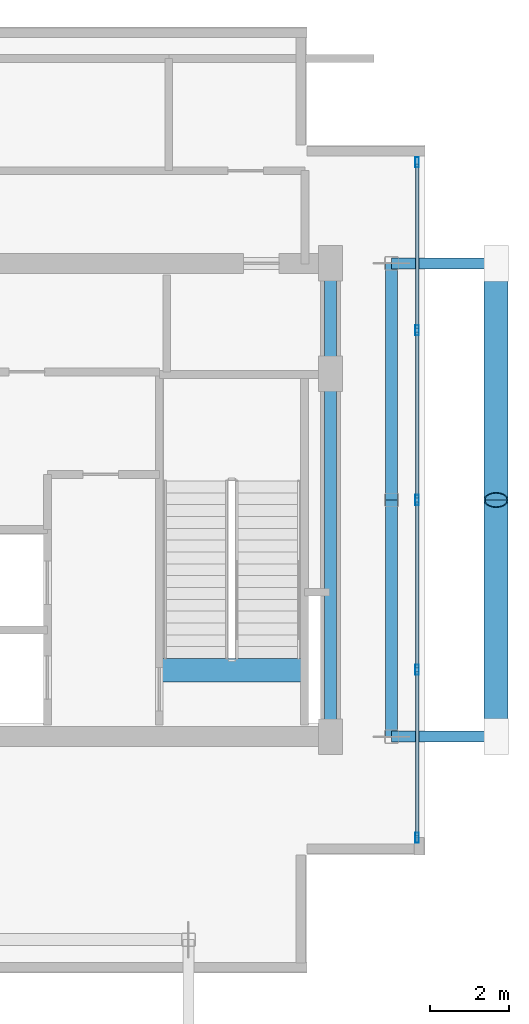
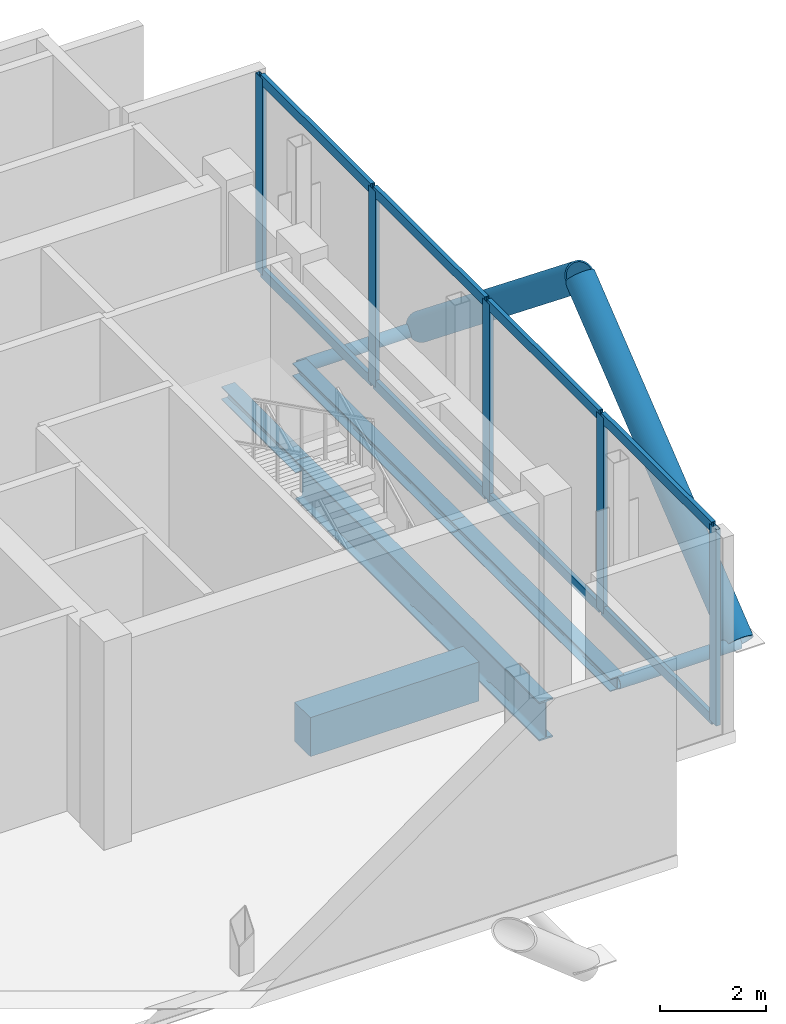
# One storey, part 2 of 6: 17 members, 5 beams, 1 element without a shape of its own.
"""IFC4 building model written with IfcOpenShell, lengths in metres."""

import ifcopenshell
import ifcopenshell.guid

model = None  # the IFC model being written
_history = None  # IfcOwnerHistory: only IFC2X3 demands one
_inside = {}  # id of a spatial element -> (the spatial element, [elements in it])
_under = {}  # id of a project, library or spatial element -> (it, [spatial elements below it])
_declared = {}  # id of a project -> (the project, [libraries it declares])
_typed = {}  # id of a type object -> (the type object, [elements of that type])
_made_of = {}  # id of a material, layer set ... -> (it, [elements and type objects made of it])


def new_model(schema):
    """Start an empty IFC model of exactly this schema.

    Asked for "IFC4X3", IfcOpenShell would pick the latest addendum, in which some entities
    have other attributes; the version numbers below select the first issue.
    IFC2X3 requires an IfcOwnerHistory on every rooted entity: one is made here for all.
    """
    global model, _history
    if schema == "IFC4X3":
        model = ifcopenshell.file(schema_version=(4, 3, 0, 0))
    else:
        model = ifcopenshell.file(schema=schema)
    _inside.clear()
    _under.clear()
    _declared.clear()
    _typed.clear()
    _made_of.clear()
    _history = None
    if model.schema == "IFC2X3":
        org = make("IfcOrganization", Name="unknown")
        user = make(
            "IfcPersonAndOrganization",
            ThePerson=make("IfcPerson", FamilyName="unknown"),
            TheOrganization=org,
        )
        app = make(
            "IfcApplication",
            ApplicationDeveloper=org,
            Version="unknown",
            ApplicationFullName="unknown",
            ApplicationIdentifier="unknown",
        )
        _history = make(
            "IfcOwnerHistory",
            OwningUser=user,
            OwningApplication=app,
            ChangeAction="ADDED",
            CreationDate=0,
        )
    return model


def make(cls, **values):
    """One entity of the class cls with the attributes given. An attribute that is None is left unset."""
    return model.create_entity(
        cls, **{name: value for name, value in values.items() if value is not None}
    )


def rooted(cls, **values):
    """An entity with a GlobalId (a new one), such as an element, a storey or a relation."""
    return make(cls, GlobalId=ifcopenshell.guid.new(), OwnerHistory=_history, **values)


def si_unit(unit_type, name, prefix=None):
    """IfcSIUnit, for example si_unit("LENGTHUNIT", "METRE", prefix="MILLI")."""
    return make("IfcSIUnit", UnitType=unit_type, Prefix=prefix, Name=name)


def assignment(units):
    """IfcUnitAssignment: the units of a project."""
    return None if units is None else make("IfcUnitAssignment", Units=units)


def point(xyz):
    """IfcCartesianPoint."""
    return None if xyz is None else make("IfcCartesianPoint", Coordinates=xyz)


def direction(xyz):
    """IfcDirection."""
    return None if xyz is None else make("IfcDirection", DirectionRatios=xyz)


def frame(location, z_axis=None, x_axis=None):
    """IfcAxis2Placement3D, a coordinate frame: its origin and axes. An axis left out is left unset."""
    return make(
        "IfcAxis2Placement3D",
        Location=point(location),
        Axis=direction(z_axis),
        RefDirection=direction(x_axis),
    )


def frame_2d(location, x_axis=None):
    """IfcAxis2Placement2D, a coordinate frame in the plane: its origin and x axis."""
    return make(
        "IfcAxis2Placement2D", Location=point(location), RefDirection=direction(x_axis)
    )


def origin():
    """The frame at (0, 0, 0) with its axes left unset."""
    return frame((0.0, 0.0, 0.0))


def origin_2d():
    """The frame at (0, 0) in the plane with its x axis left unset."""
    return frame_2d((0.0, 0.0))


def place(relative_to, where):
    """IfcLocalPlacement: puts the frame where relative to a parent placement (None: the world)."""
    return make(
        "IfcLocalPlacement", PlacementRelTo=relative_to, RelativePlacement=where
    )


def context(
    kind, dimensions, precision=None, world=None, true_north=None, identifier=None
):
    """IfcGeometricRepresentationContext, for example the 3D "Model" context."""
    return make(
        "IfcGeometricRepresentationContext",
        ContextIdentifier=identifier,
        ContextType=kind,
        CoordinateSpaceDimension=dimensions,
        Precision=precision,
        WorldCoordinateSystem=world,
        TrueNorth=true_north,
    )


def subcontext(parent, identifier, kind, view, scale=None):
    """IfcGeometricRepresentationSubContext, for example "Body" below "Model"."""
    return make(
        "IfcGeometricRepresentationSubContext",
        ContextIdentifier=identifier,
        ContextType=kind,
        ParentContext=parent,
        TargetScale=scale,
        TargetView=view,
    )


def project(units=None, contexts=None):
    """IfcProject with its units and contexts."""
    return rooted(
        "IfcProject",
        Name="project",
        RepresentationContexts=contexts,
        UnitsInContext=assignment(units),
    )


def spatial(cls, under=None, at=None, **own):
    """A site, building, storey or space (cls), placed at a placement, below another one or the project."""
    s = rooted(cls, ObjectPlacement=at, **own)
    if under is not None:
        _under.setdefault(under.id(), (under, []))[1].append(s)
    return s


def profile(cls, at=None, kind="AREA", **sizes):
    """A parametric profile (cls). Its sizes go by their IFC names, for example OverallWidth=200.0."""
    return make(cls, ProfileType=kind, Position=at, **sizes)


def rectangle(**sizes):
    """IfcRectangleProfileDef."""
    return profile("IfcRectangleProfileDef", **sizes)


def hollow_rectangle(**sizes):
    """IfcRectangleHollowProfileDef."""
    return profile("IfcRectangleHollowProfileDef", **sizes)


def hollow_circle(**sizes):
    """IfcCircleHollowProfileDef."""
    return profile("IfcCircleHollowProfileDef", **sizes)


def i_section(**sizes):
    """IfcIShapeProfileDef."""
    return profile("IfcIShapeProfileDef", **sizes)


def extrude(swept, where, along, depth):
    """IfcExtrudedAreaSolid: the profile swept, set in the frame where, extruded along a direction by depth."""
    return make(
        "IfcExtrudedAreaSolid",
        SweptArea=swept,
        Position=where,
        ExtrudedDirection=direction(along),
        Depth=depth,
    )


def shape(context_of_items, identifier, shape_type, items):
    """IfcShapeRepresentation: the items that make up one representation, for example the "Body"."""
    return make(
        "IfcShapeRepresentation",
        ContextOfItems=context_of_items,
        RepresentationIdentifier=identifier,
        RepresentationType=shape_type,
        Items=items,
    )


def material(Name=None, Category=None):
    """IfcMaterial."""
    return make("IfcMaterial", Name=Name, Category=Category)


def layer(
    of_material, thickness, ventilated=None, Name=None, Category=None, Priority=None
):
    """IfcMaterialLayer: one layer of a wall or slab, of a material (None: an air gap)."""
    return make(
        "IfcMaterialLayer",
        Material=of_material,
        LayerThickness=thickness,
        IsVentilated=ventilated,
        Name=Name,
        Category=Category,
        Priority=Priority,
    )


def layer_set(layers, Name=None):
    """IfcMaterialLayerSet."""
    return make("IfcMaterialLayerSet", MaterialLayers=layers, LayerSetName=Name)


def material_profile(
    of_material, cross_section, Name=None, Category=None, Priority=None
):
    """IfcMaterialProfile: a cross section and its material."""
    return make(
        "IfcMaterialProfile",
        Name=Name,
        Material=of_material,
        Profile=cross_section,
        Priority=Priority,
        Category=Category,
    )


def profile_set(profiles, Name=None, composite=None):
    """IfcMaterialProfileSet."""
    return make(
        "IfcMaterialProfileSet",
        Name=Name,
        MaterialProfiles=profiles,
        CompositeProfile=composite,
    )


def made_of(thing, what):
    """Note that an element or type object is made of a material, layer set ...; save() writes the relation."""
    if what is not None:
        _made_of.setdefault(what.id(), (what, []))[1].append(thing)
    return thing


def type_object(cls, material=None, **own):
    """A type object (cls), such as IfcWallType, which elements share."""
    return made_of(rooted(cls, **own), material)


def element(
    cls,
    number,
    at=None,
    inside=None,
    cuts=None,
    type_object=None,
    material=None,
    context=None,
    identifier="Body",
    shape_type=None,
    held_by="IfcProductDefinitionShape",
    body=None,
    shapes=None,
    **own,
):
    """One element of the class cls, such as IfcWall. Its Tag is "e" and its number.

    at: its placement. inside: the storey or other place that contains it. cuts: it is an
    opening in that element (IfcRelVoidsElement). A single representation is given by context,
    identifier, shape_type and body (its items); several are given by shapes. held_by: the class
    of the entity that holds the representations. save() writes the other relations.
    """
    e = rooted(cls, Tag="e%d" % number, ObjectPlacement=at, **own)
    if body is not None:
        shapes = [shape(context, identifier, shape_type, body)]
    if shapes is not None:
        e.Representation = make(held_by, Representations=shapes)
    if inside is not None:
        _inside.setdefault(inside.id(), (inside, []))[1].append(e)
    if cuts is not None:
        rooted(
            "IfcRelVoidsElement", RelatingBuildingElement=cuts, RelatedOpeningElement=e
        )
    if type_object is not None:
        _typed.setdefault(type_object.id(), (type_object, []))[1].append(e)
    return made_of(e, material)


def aggregate(whole, parts):
    """IfcRelAggregates: a whole, such as a stair, and the parts it consists of."""
    return rooted("IfcRelAggregates", RelatingObject=whole, RelatedObjects=parts)


def save(model, path):
    """Write the relations noted so far, then the file.

    IfcRelAggregates (storeys below a building ...), IfcRelContainedInSpatialStructure (elements
    in a storey), IfcRelDefinesByType, IfcRelAssociatesMaterial and IfcRelDeclares: one each for
    every whole, place, type object, material and project.
    """
    for whole, parts in _under.values():
        aggregate(whole, parts)
    for where, things in _inside.values():
        rooted(
            "IfcRelContainedInSpatialStructure",
            RelatedElements=things,
            RelatingStructure=where,
        )
    for kind, things in _typed.values():
        rooted("IfcRelDefinesByType", RelatedObjects=things, RelatingType=kind)
    for what, things in _made_of.values():
        rooted("IfcRelAssociatesMaterial", RelatedObjects=things, RelatingMaterial=what)
    for by, libraries in _declared.values():
        rooted("IfcRelDeclares", RelatingContext=by, RelatedDefinitions=libraries)
    model.write(path)


model = new_model("IFC4")

# Units and contexts
model_context = context("Model", 3, precision=1e-05, world=origin(), true_north=direction((0.0, 1.0)))
body_context = subcontext(model_context, "Body", "Model", "MODEL_VIEW")
ifc_project = project(units=[si_unit("LENGTHUNIT", "METRE"), si_unit("AREAUNIT", "SQUARE_METRE"), si_unit("VOLUMEUNIT", "CUBIC_METRE"), si_unit("PLANEANGLEUNIT", "RADIAN"), si_unit("MASSUNIT", "GRAM", prefix="KILO"), si_unit("THERMODYNAMICTEMPERATUREUNIT", "KELVIN"), si_unit("POWERUNIT", "WATT")], contexts=[model_context])

# Site, building, storey
site_placement = place(None, origin())
site = spatial("IfcSite", under=ifc_project, at=site_placement, CompositionType="ELEMENT")
building_placement = place(site_placement, origin())
building = spatial("IfcBuilding", under=site, at=building_placement, Name="Svarakhadi Broadcast Tower", CompositionType="ELEMENT")
storey_placement = place(building_placement, frame((0.0, 0.0, 300.89990234375)))
storey = spatial("IfcBuildingStorey", under=building, at=storey_placement, Name="L76", CompositionType="ELEMENT", Elevation=300.89990234375)

# Curtain wall, members
ifc_material_1 = material(Name="Anodised Bronze Aluminium AA 6063-T6", Category="aluminium")
ifc_layer = layer(ifc_material_1, 0.260009765625)
ifc_layer_set = layer_set([ifc_layer], Name="Anodised Bronze Aluminium AA 6063-T6")
curtain_wall_type = type_object("IfcCurtainWallType", Name="CW_Sys_07", PredefinedType="NOTDEFINED", material=ifc_layer_set)
curtain_wall_placement = place(storey_placement, origin())
curtain_wall = element("IfcCurtainWall", 1, at=curtain_wall_placement, inside=storey, type_object=curtain_wall_type, Name="L76 East Plant Daylighting Curtain Wall CW-07", PredefinedType="NOTDEFINED")
ifc_material_profile_1 = material_profile(ifc_material_1, hollow_rectangle(XDim=0.090087890625, YDim=0.260009765625, WallThickness=0.005615234375, at=origin_2d()), Name="ALU MULLION 260x90x6")
ifc_profile_set_1 = profile_set([ifc_material_profile_1], Name="Anodised Bronze Aluminium AA 6063-T6")
member_type_1 = type_object("IfcMemberType", Name="CW_Sys_07_Mul", PredefinedType="MULLION", material=ifc_profile_set_1)
member_1_placement = place(storey_placement, frame((35.800048828125, 20.56494140625, 0.0), z_axis=(0.0, 0.0, 1.0), x_axis=(1.0, 0.0, 0.0)))
member_1 = element("IfcMember", 2, at=member_1_placement, type_object=member_type_1, Name="CW-07 mullion 1", PredefinedType="MULLION", context=body_context, shape_type="SweptSolid", body=[
    extrude(hollow_rectangle(XDim=0.090087890625, YDim=0.260009765625, WallThickness=0.005615234375, at=origin_2d()), origin(), (0.0, 0.0, 1.0), 4.525146484375),
])
member_2_placement = place(storey_placement, frame((35.800048828125, 16.304931640625, 0.0), z_axis=(0.0, 0.0, 1.0), x_axis=(1.0, 0.0, 0.0)))
member_2 = element("IfcMember", 3, at=member_2_placement, type_object=member_type_1, Name="CW-07 mullion 2", PredefinedType="MULLION", context=body_context, shape_type="SweptSolid", body=[
    extrude(hollow_rectangle(XDim=0.090087890625, YDim=0.260009765625, WallThickness=0.005615234375, at=origin_2d()), origin(), (0.0, 0.0, 1.0), 4.525146484375),
])
member_3_placement = place(storey_placement, frame((35.800048828125, 12.0, 0.0), z_axis=(0.0, 0.0, 1.0), x_axis=(1.0, 0.0, 0.0)))
member_3 = element("IfcMember", 4, at=member_3_placement, type_object=member_type_1, Name="CW-07 mullion 3", PredefinedType="MULLION", context=body_context, shape_type="SweptSolid", body=[
    extrude(hollow_rectangle(XDim=0.090087890625, YDim=0.260009765625, WallThickness=0.005615234375, at=origin_2d()), origin(), (0.0, 0.0, 1.0), 4.525146484375),
])
member_4_placement = place(storey_placement, frame((35.800048828125, 7.695068359375, 0.0), z_axis=(0.0, 0.0, 1.0), x_axis=(1.0, 0.0, 0.0)))
member_4 = element("IfcMember", 5, at=member_4_placement, type_object=member_type_1, Name="CW-07 mullion 4", PredefinedType="MULLION", context=body_context, shape_type="SweptSolid", body=[
    extrude(hollow_rectangle(XDim=0.090087890625, YDim=0.260009765625, WallThickness=0.005615234375, at=origin_2d()), origin(), (0.0, 0.0, 1.0), 4.525146484375),
])
member_5_placement = place(storey_placement, frame((35.800048828125, 3.43505859375, 0.0), z_axis=(0.0, 0.0, 1.0), x_axis=(1.0, 0.0, 0.0)))
member_5 = element("IfcMember", 6, at=member_5_placement, type_object=member_type_1, Name="CW-07 mullion 5", PredefinedType="MULLION", context=body_context, shape_type="SweptSolid", body=[
    extrude(hollow_rectangle(XDim=0.090087890625, YDim=0.260009765625, WallThickness=0.005615234375, at=origin_2d()), origin(), (0.0, 0.0, 1.0), 4.525146484375),
])
ifc_material_profile_2 = material_profile(ifc_material_1, hollow_rectangle(XDim=0.090087890625, YDim=0.22998046875, WallThickness=0.0048828125, at=origin_2d()), Name="ALU TRANSOM 230x90x5")
ifc_profile_set_2 = profile_set([ifc_material_profile_2], Name="Anodised Bronze Aluminium AA 6063-T6")
member_type_2 = type_object("IfcMemberType", Name="CW_Sys_07_Trn", PredefinedType="USERDEFINED", material=ifc_profile_set_2)
member_6_placement = place(storey_placement, frame((35.800048828125, 20.52001953125, 0.045166015625), z_axis=(0.0, -1.0, 0.0), x_axis=(1.0, 0.0, 0.0)))
member_6 = element("IfcMember", 7, at=member_6_placement, type_object=member_type_2, Name="CW-07 transom 1.1", ObjectType="TRANSOM", PredefinedType="USERDEFINED", context=body_context, shape_type="SweptSolid", body=[
    extrude(hollow_rectangle(XDim=0.090087890625, YDim=0.22998046875, WallThickness=0.0048828125, at=origin_2d()), origin(), (0.0, 0.0, 1.0), 4.169921875),
])
member_7_placement = place(storey_placement, frame((35.800048828125, 20.52001953125, 4.47998046875), z_axis=(0.0, -1.0, 0.0), x_axis=(1.0, 0.0, 0.0)))
member_7 = element("IfcMember", 8, at=member_7_placement, type_object=member_type_2, Name="CW-07 transom 1.2", ObjectType="TRANSOM", PredefinedType="USERDEFINED", context=body_context, shape_type="SweptSolid", body=[
    extrude(hollow_rectangle(XDim=0.090087890625, YDim=0.22998046875, WallThickness=0.0048828125, at=origin_2d()), origin(), (0.0, 0.0, 1.0), 4.169921875),
])
member_8_placement = place(storey_placement, frame((35.800048828125, 16.260009765625, 0.045166015625), z_axis=(0.0, -1.0, 0.0), x_axis=(1.0, 0.0, 0.0)))
member_8 = element("IfcMember", 9, at=member_8_placement, type_object=member_type_2, Name="CW-07 transom 2.1", ObjectType="TRANSOM", PredefinedType="USERDEFINED", context=body_context, shape_type="SweptSolid", body=[
    extrude(hollow_rectangle(XDim=0.090087890625, YDim=0.22998046875, WallThickness=0.0048828125, at=origin_2d()), origin(), (0.0, 0.0, 1.0), 4.215087890625),
])
member_9_placement = place(storey_placement, frame((35.800048828125, 16.260009765625, 4.47998046875), z_axis=(0.0, -1.0, 0.0), x_axis=(1.0, 0.0, 0.0)))
member_9 = element("IfcMember", 10, at=member_9_placement, type_object=member_type_2, Name="CW-07 transom 2.2", ObjectType="TRANSOM", PredefinedType="USERDEFINED", context=body_context, shape_type="SweptSolid", body=[
    extrude(hollow_rectangle(XDim=0.090087890625, YDim=0.22998046875, WallThickness=0.0048828125, at=origin_2d()), origin(), (0.0, 0.0, 1.0), 4.215087890625),
])
member_10_placement = place(storey_placement, frame((35.800048828125, 11.955078125, 0.045166015625), z_axis=(0.0, -1.0, 0.0), x_axis=(1.0, 0.0, 0.0)))
member_10 = element("IfcMember", 11, at=member_10_placement, type_object=member_type_2, Name="CW-07 transom 3.1", ObjectType="TRANSOM", PredefinedType="USERDEFINED", context=body_context, shape_type="SweptSolid", body=[
    extrude(hollow_rectangle(XDim=0.090087890625, YDim=0.22998046875, WallThickness=0.0048828125, at=origin_2d()), origin(), (0.0, 0.0, 1.0), 4.215087890625),
])
member_11_placement = place(storey_placement, frame((35.800048828125, 11.955078125, 4.47998046875), z_axis=(0.0, -1.0, 0.0), x_axis=(1.0, 0.0, 0.0)))
member_11 = element("IfcMember", 12, at=member_11_placement, type_object=member_type_2, Name="CW-07 transom 3.2", ObjectType="TRANSOM", PredefinedType="USERDEFINED", context=body_context, shape_type="SweptSolid", body=[
    extrude(hollow_rectangle(XDim=0.090087890625, YDim=0.22998046875, WallThickness=0.0048828125, at=origin_2d()), origin(), (0.0, 0.0, 1.0), 4.215087890625),
])
member_12_placement = place(storey_placement, frame((35.800048828125, 7.64990234375, 0.045166015625), z_axis=(0.0, -1.0, 0.0), x_axis=(1.0, 0.0, 0.0)))
member_12 = element("IfcMember", 13, at=member_12_placement, type_object=member_type_2, Name="CW-07 transom 4.1", ObjectType="TRANSOM", PredefinedType="USERDEFINED", context=body_context, shape_type="SweptSolid", body=[
    extrude(hollow_rectangle(XDim=0.090087890625, YDim=0.22998046875, WallThickness=0.0048828125, at=origin_2d()), origin(), (0.0, 0.0, 1.0), 4.169921875),
])
member_13_placement = place(storey_placement, frame((35.800048828125, 7.64990234375, 4.47998046875), z_axis=(0.0, -1.0, 0.0), x_axis=(1.0, 0.0, 0.0)))
member_13 = element("IfcMember", 14, at=member_13_placement, type_object=member_type_2, Name="CW-07 transom 4.2", ObjectType="TRANSOM", PredefinedType="USERDEFINED", context=body_context, shape_type="SweptSolid", body=[
    extrude(hollow_rectangle(XDim=0.090087890625, YDim=0.22998046875, WallThickness=0.0048828125, at=origin_2d()), origin(), (0.0, 0.0, 1.0), 4.169921875),
])
aggregate(curtain_wall, [member_1, member_2, member_3, member_4, member_5, member_6, member_7, member_8, member_9, member_10, member_11, member_12, member_13])

# Beam
ifc_material_2 = material(Name="Concrete C50/60 (IS 456 M60)", Category="concrete")
ifc_material_profile_3 = material_profile(ifc_material_2, rectangle(XDim=0.60009765625, YDim=0.89990234375, at=origin_2d()), Name="RC 600x900")
ifc_profile_set_3 = profile_set([ifc_material_profile_3], Name="Concrete C50/60 (IS 456 M60)")
beam_type_1 = type_object("IfcBeamType", Name="Coupling_RC600", PredefinedType="USERDEFINED", material=ifc_profile_set_3)
beam_1_placement = place(storey_placement, frame((29.260009765625, 7.679931640625, -0.449951171875), z_axis=(1.0, 0.0, 0.0), x_axis=(0.0, 1.0, 0.0)))
element("IfcBeam", 15, at=beam_1_placement, inside=storey, type_object=beam_type_1, Name="L76 Stair ST-02 Landing Throat Trimmer Beam CB-01", ObjectType="GIRDER", PredefinedType="USERDEFINED", context=body_context, shape_type="SweptSolid", body=[
    extrude(rectangle(XDim=0.60009765625, YDim=0.89990234375, at=origin_2d()), origin(), (0.0, 0.0, 1.0), 3.679931640625),
])

# Members
ifc_material_3 = material(Name="Steel S460ML (IS 2062 E450BR)", Category="steel")
ifc_material_profile_4 = material_profile(ifc_material_3, hollow_circle(Radius=0.304931640625, WallThickness=0.030029296875, at=origin_2d()), Name="CHS 610x30")
ifc_profile_set_4 = profile_set([ifc_material_profile_4], Name="Steel S460ML (IS 2062 E450BR)")
member_type_3 = type_object("IfcMemberType", Name="Exo_Brace_CHS610", PredefinedType="BRACE", material=ifc_profile_set_4)
for number, where, z_axis, x_axis, name in (
    (16, (37.800048828125, 6.0, -0.411376953125), (0.0, 0.780865709579, 0.624698922365), (-1.0, 0.0, 0.0), "L76 Exposed Bronze Exoskeleton Diagonal E08"),
    (17, (37.800048828125, 18.0, -0.411376953125), (0.0, -0.780865709579, 0.624698922365), (1.0, 0.0, 0.0), "L76 Exposed Bronze Exoskeleton Diagonal E09"),
):
    element("IfcMember", number, at=place(storey_placement, frame(where, z_axis=z_axis, x_axis=x_axis)), inside=storey, type_object=member_type_3, Name=name, PredefinedType="BRACE", context=body_context, shape_type="SweptSolid", body=[
        extrude(hollow_circle(Radius=0.304931640625, WallThickness=0.030029296875, at=origin_2d()), origin(), (0.0, 0.0, 1.0), 7.683837890625),
    ])
ifc_material_profile_5 = material_profile(ifc_material_3, hollow_circle(Radius=0.136474609375, WallThickness=0.012451171875, at=origin_2d()), Name="CHS 273x12.5")
ifc_profile_set_5 = profile_set([ifc_material_profile_5], Name="Steel S460ML (IS 2062 E450BR)")
member_type_4 = type_object("IfcMemberType", Name="Exo_Radial_Strut_Z3", PredefinedType="STRUT", material=ifc_profile_set_5)
for number, where, z_axis, x_axis, name in (
    (18, (37.800048828125, 6.0, -0.411376953125), (-1.0, 0.0, 0.0), (0.0, -1.0, 0.0), "L76 Exoskeleton Radial Tie Strut E06"),
    (19, (37.800048828125, 18.0, -0.411376953125), (-1.0, 0.0, 0.0), (0.0, -1.0, 0.0), "L76 Exoskeleton Radial Tie Strut E07"),
):
    element("IfcMember", number, at=place(storey_placement, frame(where, z_axis=z_axis, x_axis=x_axis)), inside=storey, type_object=member_type_4, Name=name, PredefinedType="STRUT", context=body_context, shape_type="SweptSolid", body=[
        extrude(hollow_circle(Radius=0.136474609375, WallThickness=0.012451171875, at=origin_2d()), origin(), (0.0, 0.0, 1.0), 2.650146484375),
    ])

# Beams
ifc_material_4 = material(Name="Steel S355J2 (IS 2062 E350C)", Category="steel")
ifc_material_profile_6 = material_profile(ifc_material_4, i_section(OverallWidth=0.300048828125, OverallDepth=0.300048828125, WebThickness=0.010986328125, FlangeThickness=0.01904296875, FilletRadius=0.027099609375, at=origin_2d()), Name="WPB 300x300x117")
ifc_profile_set_6 = profile_set([ifc_material_profile_6], Name="Steel S355J2 (IS 2062 E350C)")
beam_type_2 = type_object("IfcBeamType", Name="Girder_WPB300", PredefinedType="USERDEFINED", material=ifc_profile_set_6)
beam_2_placement = place(storey_placement, frame((33.60009765625, 15.199951171875, -0.4248046875), z_axis=(0.0, 1.0, 0.0), x_axis=(-1.0, 0.0, 0.0)))
element("IfcBeam", 20, at=beam_2_placement, inside=storey, type_object=beam_type_2, Name="L76 Primary N-S Girder G044", ObjectType="GIRDER", PredefinedType="USERDEFINED", context=body_context, shape_type="SweptSolid", body=[
    extrude(i_section(OverallWidth=0.300048828125, OverallDepth=0.300048828125, WebThickness=0.010986328125, FlangeThickness=0.01904296875, FilletRadius=0.027099609375, at=origin_2d()), origin(), (0.0, 0.0, 1.0), 2.800048828125),
])
for number, where, z_axis, x_axis, name in (
    (21, (35.14990234375, 6.0, -0.4248046875), (0.0, 1.0, 0.0), (-1.0, 0.0, 0.0), "L76 Primary N-S Girder G045"),
    (22, (35.14990234375, 12.0, -0.4248046875), (0.0, 1.0, 0.0), (-1.0, 0.0, 0.0), "L76 Primary N-S Girder G046"),
):
    element("IfcBeam", number, at=place(storey_placement, frame(where, z_axis=z_axis, x_axis=x_axis)), inside=storey, type_object=beam_type_2, Name=name, ObjectType="GIRDER", PredefinedType="USERDEFINED", context=body_context, shape_type="SweptSolid", body=[
        extrude(i_section(OverallWidth=0.300048828125, OverallDepth=0.300048828125, WebThickness=0.010986328125, FlangeThickness=0.01904296875, FilletRadius=0.027099609375, at=origin_2d()), origin(), (0.0, 0.0, 1.0), 6.0),
    ])
ifc_material_profile_7 = material_profile(ifc_material_3, i_section(OverallWidth=0.300048828125, OverallDepth=0.89990234375, WebThickness=0.0185546875, FlangeThickness=0.034912109375, FilletRadius=0.030029296875, at=origin_2d()), Name="WPB 900x300x291")
ifc_profile_set_7 = profile_set([ifc_material_profile_7], Name="Steel S460ML (IS 2062 E450BR)")
beam_type_3 = type_object("IfcBeamType", Name="Girder_WPB900", PredefinedType="USERDEFINED", material=ifc_profile_set_7)
beam_3_placement = place(storey_placement, frame((33.60009765625, 6.0, -0.724853515625), z_axis=(0.0, 1.0, 0.0), x_axis=(-1.0, 0.0, 0.0)))
element("IfcBeam", 23, at=beam_3_placement, inside=storey, type_object=beam_type_3, Name="L76 Primary N-S Girder G043", ObjectType="GIRDER", PredefinedType="USERDEFINED", context=body_context, shape_type="SweptSolid", body=[
    extrude(i_section(OverallWidth=0.300048828125, OverallDepth=0.89990234375, WebThickness=0.0185546875, FlangeThickness=0.034912109375, FilletRadius=0.030029296875, at=origin_2d()), origin(), (0.0, 0.0, 1.0), 9.199951171875),
])

save(model, "model.ifc")
